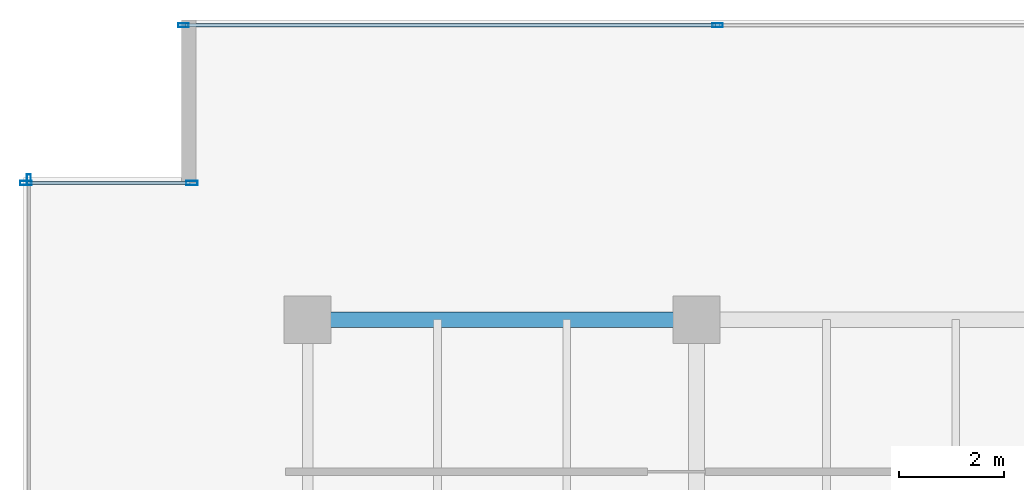
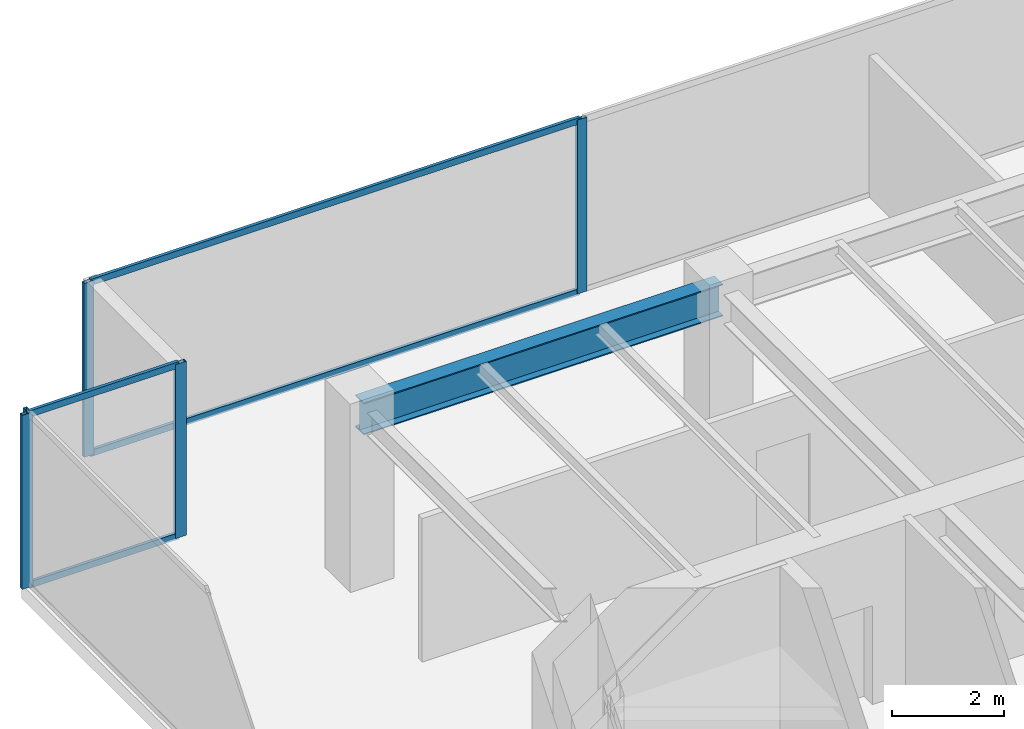
# One storey, part 14 of 30: 9 members, 1 beam, 3 elements without a shape of their own.
"""IFC4 building model written with IfcOpenShell, lengths in metres."""

from ifc_helpers import new_model, si_unit, direction, frame, origin, origin_2d, place, context, subcontext, project, spatial, hollow_rectangle, i_section, extrude, source, transform, mapped, material, layer, layer_set, material_profile, profile_set, type_object, type_shapes, element, aggregate, save


model = new_model("IFC4")

# Units and contexts
model_context = context("Model", 3, precision=1e-05, world=origin(), true_north=direction((0.0, 1.0)))
body_context = subcontext(model_context, "Body", "Model", "MODEL_VIEW")
ifc_project = project(units=[si_unit("LENGTHUNIT", "METRE"), si_unit("AREAUNIT", "SQUARE_METRE"), si_unit("VOLUMEUNIT", "CUBIC_METRE"), si_unit("PLANEANGLEUNIT", "RADIAN"), si_unit("MASSUNIT", "GRAM", prefix="KILO")], contexts=[model_context])

# Site, building, storey
site_placement = place(None, origin())
site = spatial("IfcSite", under=ifc_project, at=site_placement, CompositionType="ELEMENT")
building_placement = place(site_placement, origin())
building = spatial("IfcBuilding", under=site, at=building_placement, Name="Haelvirn Gate Laboratories", CompositionType="ELEMENT")
storey_placement = place(building_placement, frame((0.0, 0.0, 105.10009765625)))
storey = spatial("IfcBuildingStorey", under=building, at=storey_placement, Name="L25", CompositionType="ELEMENT", Elevation=105.10009765625)

# Beam
ifc_material_1 = material(Name="Steel SM355", Category="steel")
ifc_material_profile_1 = material_profile(ifc_material_1, i_section(OverallWidth=0.300048828125, OverallDepth=0.699951171875, WebThickness=0.012939453125, FlangeThickness=0.02392578125, at=origin_2d()), Name="H-700x300x13x24")
ifc_profile_set_1 = profile_set([ifc_material_profile_1], Name="Steel SM355")
beam_type = type_object("IfcBeamType", Name="BM-G-700", PredefinedType="BEAM", material=ifc_profile_set_1)
shared_shape_1 = source(origin(), body_context, "Body", "SweptSolid", [
    extrude(i_section(OverallWidth=0.300048828125, OverallDepth=0.699951171875, WebThickness=0.012939453125, FlangeThickness=0.02392578125, at=origin_2d()), origin(), (0.0, 0.0, 1.0), 7.400146484375),
])
type_shapes(beam_type, [shared_shape_1])
beam_placement = place(storey_placement, frame((7.39990234375, 41.60009765625, 3.43994140625), z_axis=(1.0, 0.0, 0.0), x_axis=(0.0, 1.0, 0.0)))
element("IfcBeam", 1, at=beam_placement, inside=storey, type_object=beam_type, Name="L25 Primary Girder Y41.6 (7.4-14.8)", PredefinedType="BEAM", context=body_context, shape_type="MappedRepresentation", body=[
    mapped(shared_shape_1, transform((0.0, 0.0, 0.0), scale=1.0)),
])

# Curtain wall, members
ifc_material_2 = material(Name="Anodised bronze unitised aluminium & triple low-E glass", Category="aluminium")
ifc_layer_1 = layer(ifc_material_2, 0.179931640625, Name="CW-SYS-3")
ifc_layer_set_1 = layer_set([ifc_layer_1], Name="Anodised bronze unitised aluminium & triple low-E glass")
curtain_wall_type_1 = type_object("IfcCurtainWallType", Name="CW-SYS-3", PredefinedType="NOTDEFINED", material=ifc_layer_set_1)
curtain_wall_1_placement = place(storey_placement, origin())
curtain_wall_1 = element("IfcCurtainWall", 2, at=curtain_wall_1_placement, inside=storey, type_object=curtain_wall_type_1, Name="L25 Unitised Curtain Wall CW-L25-P0-E14-1", PredefinedType="NOTDEFINED")
ifc_material_3 = material(Name="Extruded aluminium 6063-T6 (anodised bronze)", Category="aluminium")
ifc_material_profile_2 = material_profile(ifc_material_3, hollow_rectangle(XDim=0.06494140625, YDim=0.139892578125, WallThickness=0.00390625, at=origin_2d()), Name="CWT-140x65x4")
ifc_profile_set_2 = profile_set([ifc_material_profile_2], Name="Extruded aluminium 6063-T6 (anodised bronze)")
member_type_1 = type_object("IfcMemberType", Name="CWT-T140", PredefinedType="USERDEFINED", material=ifc_profile_set_2)
shared_shape_2 = source(origin(), body_context, "Body", "SweptSolid", [
    extrude(hollow_rectangle(XDim=0.06494140625, YDim=0.139892578125, WallThickness=0.00390625, at=origin_2d()), origin(), (0.0, 0.0, 1.0), 10.087646484375),
])
member_1_placement = place(storey_placement, frame((5.074951171875, 47.199951171875, 0.032470703125), z_axis=(1.0, 0.0, 0.0), x_axis=(0.0, 1.0, 0.0)))
member_1 = element("IfcMember", 3, at=member_1_placement, type_object=member_type_1, Name="CW3 transom 1.1", ObjectType="TRANSOM", PredefinedType="USERDEFINED", context=body_context, shape_type="MappedRepresentation", body=[
    mapped(shared_shape_2, transform((0.0, 0.0, 0.0), scale=1.0)),
])
member_2_placement = place(storey_placement, frame((5.074951171875, 47.199951171875, 3.75732421875), z_axis=(1.0, 0.0, 0.0), x_axis=(0.0, 1.0, 0.0)))
member_2 = element("IfcMember", 4, at=member_2_placement, type_object=member_type_1, Name="CW3 transom 1.2", ObjectType="TRANSOM", PredefinedType="USERDEFINED", context=body_context, shape_type="MappedRepresentation", body=[
    mapped(shared_shape_2, transform((0.0, 0.0, 0.0), scale=1.0)),
])

ifc_layer_2 = layer(ifc_material_2, 0.181884765625, Name="CW-SYS-5")
ifc_layer_set_2 = layer_set([ifc_layer_2], Name="Anodised bronze unitised aluminium & triple low-E glass")
curtain_wall_type_2 = type_object("IfcCurtainWallType", Name="CW-SYS-5", PredefinedType="NOTDEFINED", material=ifc_layer_set_2)
curtain_wall_2_placement = place(storey_placement, origin())
curtain_wall_2 = element("IfcCurtainWall", 5, at=curtain_wall_2_placement, inside=storey, type_object=curtain_wall_type_2, Name="L25 Unitised Curtain Wall CW-L25-P0-E16-1", PredefinedType="NOTDEFINED")
shared_shape_3 = source(origin(), body_context, "Body", "SweptSolid", [
    extrude(hollow_rectangle(XDim=0.06494140625, YDim=0.139892578125, WallThickness=0.00390625, at=origin_2d()), origin(), (0.0, 0.0, 1.0), 3.079833984375),
])
type_shapes(member_type_1, [shared_shape_2, shared_shape_3])
member_3_placement = place(storey_placement, frame((2.080078125, 44.199951171875, 0.032470703125), z_axis=(1.0, 0.0, 0.0), x_axis=(0.0, 1.0, 0.0)))
member_3 = element("IfcMember", 6, at=member_3_placement, type_object=member_type_1, Name="CW5 transom 1.1", ObjectType="TRANSOM", PredefinedType="USERDEFINED", context=body_context, shape_type="MappedRepresentation", body=[
    mapped(shared_shape_3, transform((0.0, 0.0, 0.0), scale=1.0)),
])
member_4_placement = place(storey_placement, frame((2.080078125, 44.199951171875, 3.75732421875), z_axis=(1.0, 0.0, 0.0), x_axis=(0.0, 1.0, 0.0)))
member_4 = element("IfcMember", 7, at=member_4_placement, type_object=member_type_1, Name="CW5 transom 1.2", ObjectType="TRANSOM", PredefinedType="USERDEFINED", context=body_context, shape_type="MappedRepresentation", body=[
    mapped(shared_shape_3, transform((0.0, 0.0, 0.0), scale=1.0)),
])

# Member
ifc_material_profile_3 = material_profile(ifc_material_3, hollow_rectangle(XDim=0.074951171875, YDim=0.199951171875, WallThickness=0.0048828125, at=origin_2d()), Name="CWM-200x75x5")
ifc_profile_set_3 = profile_set([ifc_material_profile_3], Name="Extruded aluminium 6063-T6 (anodised bronze)")
member_type_2 = type_object("IfcMemberType", Name="CWM-T200", PredefinedType="MULLION", material=ifc_profile_set_3)
shared_shape_4 = source(origin(), body_context, "Body", "SweptSolid", [
    extrude(hollow_rectangle(XDim=0.074951171875, YDim=0.199951171875, WallThickness=0.0048828125, at=origin_2d()), origin(), (0.0, 0.0, 1.0), 3.789794921875),
])
type_shapes(member_type_2, [shared_shape_4])
member_5_placement = place(storey_placement, frame((5.03759765625, 47.199951171875, 0.0), z_axis=(0.0, 0.0, 1.0), x_axis=(0.0, 1.0, 0.0)))
member_5 = element("IfcMember", 8, at=member_5_placement, type_object=member_type_2, Name="CW3 mullion 1", PredefinedType="MULLION", context=body_context, shape_type="MappedRepresentation", body=[
    mapped(shared_shape_4, transform((0.0, 0.0, 0.0), scale=1.0)),
])

member_6_placement = place(storey_placement, frame((15.199951171875, 47.199951171875, 0.0), z_axis=(0.0, 0.0, 1.0), x_axis=(0.0, 1.0, 0.0)))
member_6 = element("IfcMember", 9, at=member_6_placement, type_object=member_type_2, Name="CW3 mullion 2", PredefinedType="MULLION", context=body_context, shape_type="MappedRepresentation", body=[
    mapped(shared_shape_4, transform((0.0, 0.0, 0.0), scale=1.0)),
])

aggregate(curtain_wall_1, [member_5, member_6, member_1, member_2])

# Curtain wall, member
curtain_wall_3_placement = place(storey_placement, origin())
curtain_wall_3 = element("IfcCurtainWall", 10, at=curtain_wall_3_placement, inside=storey, type_object=curtain_wall_type_1, Name="L25 Unitised Curtain Wall CW-L25-P0-E17", PredefinedType="NOTDEFINED")
member_7_placement = place(storey_placement, frame((2.10009765625, 44.262451171875, 0.0), z_axis=(0.0, 0.0, 1.0), x_axis=(1.0, 0.0, 0.0)))
member_7 = element("IfcMember", 11, at=member_7_placement, type_object=member_type_2, Name="CW3 mullion 1", PredefinedType="MULLION", context=body_context, shape_type="MappedRepresentation", body=[
    mapped(shared_shape_4, transform((0.0, 0.0, 0.0), scale=1.0)),
])
aggregate(curtain_wall_3, [member_7])

# Member
ifc_material_profile_4 = material_profile(ifc_material_3, hollow_rectangle(XDim=0.080078125, YDim=0.219970703125, WallThickness=0.006103515625, at=origin_2d()), Name="CWM-220x80x6")
ifc_profile_set_4 = profile_set([ifc_material_profile_4], Name="Extruded aluminium 6063-T6 (anodised bronze)")
member_type_3 = type_object("IfcMemberType", Name="CWM-T220", PredefinedType="MULLION", material=ifc_profile_set_4)
shared_shape_5 = source(origin(), body_context, "Body", "SweptSolid", [
    extrude(hollow_rectangle(XDim=0.080078125, YDim=0.219970703125, WallThickness=0.006103515625, at=origin_2d()), origin(), (0.0, 0.0, 1.0), 3.789794921875),
])
type_shapes(member_type_3, [shared_shape_5])
member_8_placement = place(storey_placement, frame((2.0400390625, 44.199951171875, 0.0), z_axis=(0.0, 0.0, 1.0), x_axis=(0.0, 1.0, 0.0)))
member_8 = element("IfcMember", 12, at=member_8_placement, type_object=member_type_3, Name="CW5 mullion 1", PredefinedType="MULLION", context=body_context, shape_type="MappedRepresentation", body=[
    mapped(shared_shape_5, transform((0.0, 0.0, 0.0), scale=1.0)),
])

member_9_placement = place(storey_placement, frame((5.199951171875, 44.199951171875, 0.0), z_axis=(0.0, 0.0, 1.0), x_axis=(0.0, 1.0, 0.0)))
member_9 = element("IfcMember", 13, at=member_9_placement, type_object=member_type_3, Name="CW5 mullion 2", PredefinedType="MULLION", context=body_context, shape_type="MappedRepresentation", body=[
    mapped(shared_shape_5, transform((0.0, 0.0, 0.0), scale=1.0)),
])

aggregate(curtain_wall_2, [member_8, member_9, member_3, member_4])

save(model, "model.ifc")
